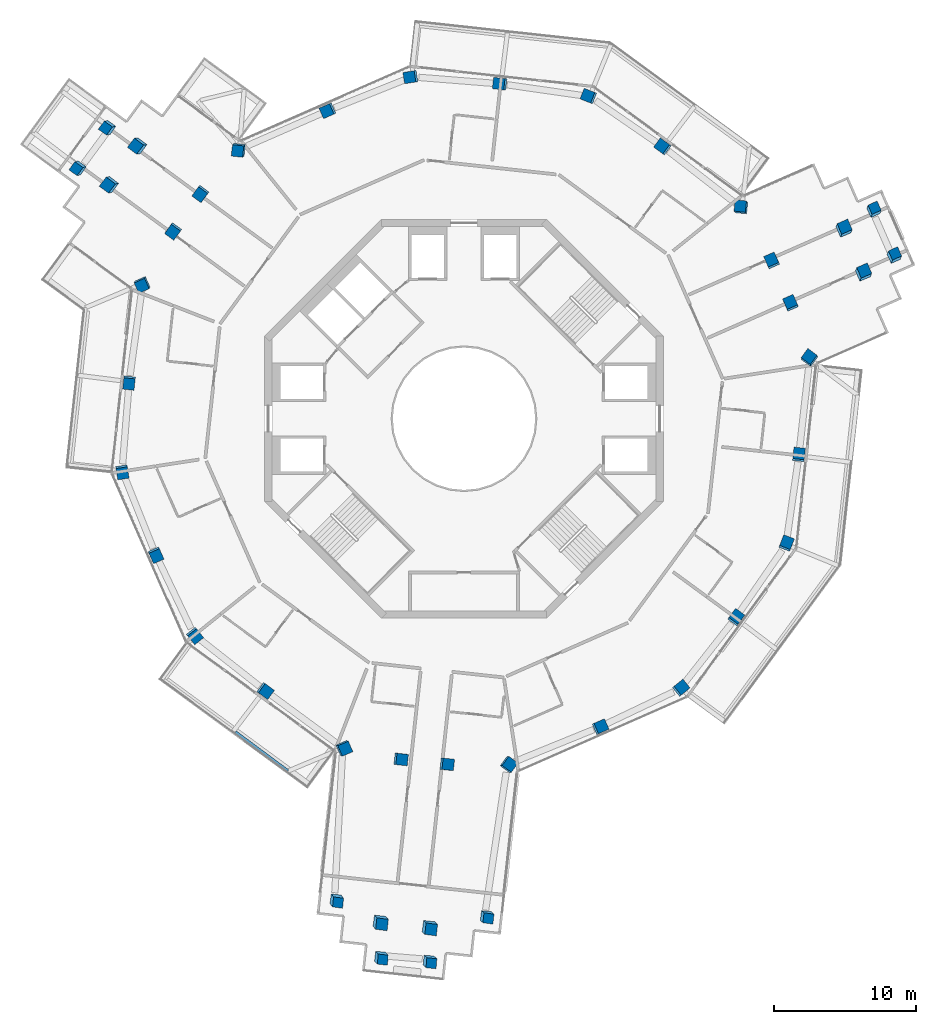
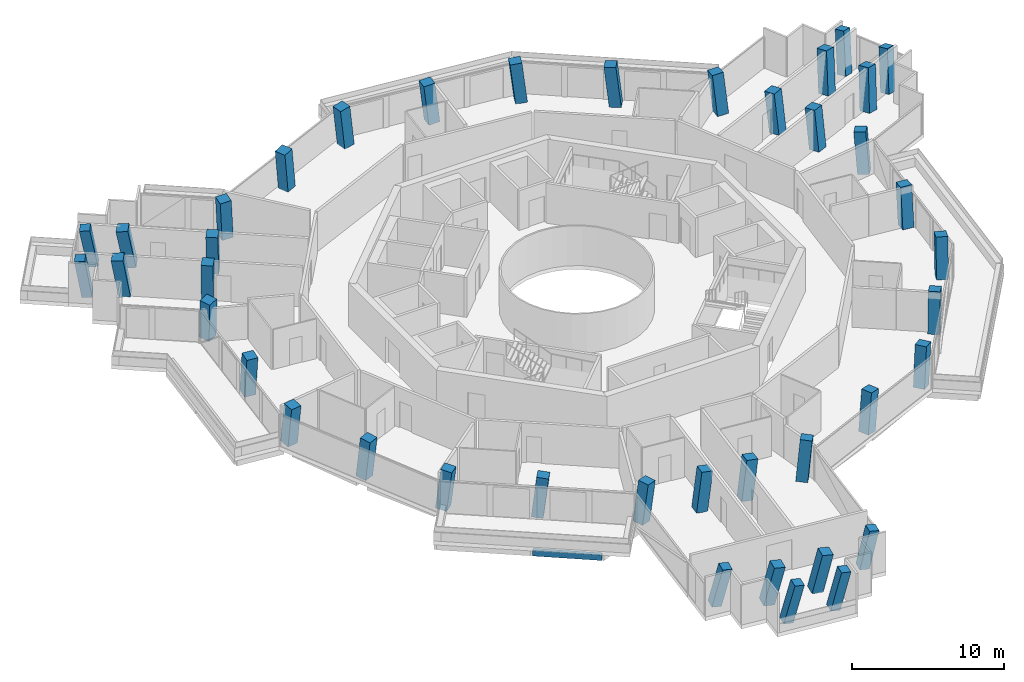
# One storey, part 1 of 22: 41 columns, 1 beam.
"""IFC4 building model written with IfcOpenShell, lengths in metres."""

from ifc_helpers import new_model, si_unit, direction, frame, origin, origin_2d, place, context, subcontext, project, spatial, rectangle, extrude, material, material_profile, profile_set, type_object, element, save


model = new_model("IFC4")

# Units and contexts
model_context = context("Model", 3, precision=1e-05, world=origin(), true_north=direction((0.0, 1.0)))
body_context = subcontext(model_context, "Body", "Model", "MODEL_VIEW")
ifc_project = project(units=[si_unit("LENGTHUNIT", "METRE"), si_unit("AREAUNIT", "SQUARE_METRE"), si_unit("VOLUMEUNIT", "CUBIC_METRE"), si_unit("PLANEANGLEUNIT", "RADIAN"), si_unit("MASSUNIT", "GRAM", prefix="KILO")], contexts=[model_context])

# Site, building, storey
site_placement = place(None, origin())
site = spatial("IfcSite", under=ifc_project, at=site_placement, CompositionType="ELEMENT")
building_placement = place(site_placement, origin())
building = spatial("IfcBuilding", under=site, at=building_placement, Name="Verdalira Terraces Hotel", CompositionType="ELEMENT")
storey_placement = place(building_placement, frame((0.0, 0.0, 252.5)))
storey = spatial("IfcBuildingStorey", under=building, at=storey_placement, Name="L62", CompositionType="ELEMENT", Elevation=252.5)

# Columns
ifc_material_1 = material(Name="Concrete C50", Category="concrete")
ifc_material_profile_1 = material_profile(ifc_material_1, rectangle(XDim=0.699951, YDim=0.699951, at=origin_2d()), Name="RC 700X700")
ifc_profile_set_1 = profile_set([ifc_material_profile_1], Name="Concrete C50")
column_type_1 = type_object("IfcColumnType", Name="Column RC 700X700 C50", PredefinedType="COLUMN", material=ifc_profile_set_1)
column_1_placement = place(storey_placement, frame((-9.022217, -33.754395, 0.0), z_axis=(0.144134272, -0.184241847, 0.972255241), x_axis=(-0.134936562, -0.976996479, -0.16513632)))
element("IfcColumn", 1, at=column_1_placement, inside=storey, type_object=column_type_1, Name="Column C08", PredefinedType="COLUMN", context=body_context, shape_type="SweptSolid", body=[
    extrude(rectangle(XDim=0.699951, YDim=0.699951, at=origin_2d()), origin(), (0.0, 0.0, 1.0), 3.281006),
])
column_2_placement = place(storey_placement, frame((-5.901123, -37.777588, 0.0), z_axis=(0.162769064, -0.169464318, 0.972002097), x_axis=(0.980820639, -0.079268093, -0.178065841)))
element("IfcColumn", 2, at=column_2_placement, inside=storey, type_object=column_type_1, Name="Column C09", PredefinedType="COLUMN", context=body_context, shape_type="SweptSolid", body=[
    extrude(rectangle(XDim=0.699951, YDim=0.699951, at=origin_2d()), origin(), (0.0, 0.0, 1.0), 3.281738),
])
column_3_placement = place(storey_placement, frame((-2.490479, -38.049805, 0.0), z_axis=(0.164275962, -0.153985411, 0.974321252), x_axis=(0.980524485, -0.082287604, -0.178326905)))
element("IfcColumn", 3, at=column_3_placement, inside=storey, type_object=column_type_1, Name="Column C10", PredefinedType="COLUMN", context=body_context, shape_type="SweptSolid", body=[
    extrude(rectangle(XDim=0.699951, YDim=0.699951, at=origin_2d()), origin(), (0.0, 0.0, 1.0), 3.273926),
])
column_4_placement = place(storey_placement, frame((1.532715, -34.928711, 0.0), z_axis=(0.150266497, -0.136026779, 0.979242919), x_axis=(0.127594558, 0.984874051, 0.117229398)))
element("IfcColumn", 4, at=column_4_placement, inside=storey, type_object=column_type_1, Name="Column C11", PredefinedType="COLUMN", context=body_context, shape_type="SweptSolid", body=[
    extrude(rectangle(XDim=0.699951, YDim=0.699951, at=origin_2d()), origin(), (0.0, 0.0, 1.0), 3.257568),
])
column_5_placement = place(storey_placement, frame((30.175293, 11.36084, 0.0), z_axis=(0.077278099, 0.201117373, 0.976514156), x_axis=(-0.419444156, 0.895107746, -0.151157943)))
element("IfcColumn", 5, at=column_5_placement, inside=storey, type_object=column_type_1, Name="Column C19", PredefinedType="COLUMN", context=body_context, shape_type="SweptSolid", body=[
    extrude(rectangle(XDim=0.699951, YDim=0.699951, at=origin_2d()), origin(), (0.0, 0.0, 1.0), 3.266602),
])
column_6_placement = place(storey_placement, frame((28.75708, 14.58252, 0.0), z_axis=(0.062404542, 0.194854998, 0.978844831), x_axis=(-0.417285391, 0.896013916, -0.151762855)))
element("IfcColumn", 6, at=column_6_placement, inside=storey, type_object=column_type_1, Name="Column C20", PredefinedType="COLUMN", context=body_context, shape_type="SweptSolid", body=[
    extrude(rectangle(XDim=0.699951, YDim=0.699951, at=origin_2d()), origin(), (0.0, 0.0, 1.0), 3.258789),
])
column_7_placement = place(storey_placement, frame((-24.926514, 20.452393, 0.0), z_axis=(-0.212777437, -0.033706577, 0.976519139), x_axis=(-0.565176981, -0.811006194, -0.151142098)))
element("IfcColumn", 7, at=column_7_placement, inside=storey, type_object=column_type_1, Name="Column C28", PredefinedType="COLUMN", context=body_context, shape_type="SweptSolid", body=[
    extrude(rectangle(XDim=0.699951, YDim=0.699951, at=origin_2d()), origin(), (0.0, 0.0, 1.0), 3.266602),
])
column_8_placement = place(storey_placement, frame((-27.007324, 17.613281, 0.0), z_axis=(-0.199948758, -0.043450835, 0.978842438), x_axis=(-0.567063942, -0.809570222, -0.151771345)))
element("IfcColumn", 8, at=column_8_placement, inside=storey, type_object=column_type_1, Name="Column C29", PredefinedType="COLUMN", context=body_context, shape_type="SweptSolid", body=[
    extrude(rectangle(XDim=0.699951, YDim=0.699951, at=origin_2d()), origin(), (0.0, 0.0, 1.0), 3.258789),
])
ifc_material_2 = material(Name="Concrete C50", Category="concrete")
ifc_material_profile_2 = material_profile(ifc_material_2, rectangle(XDim=0.800049, YDim=0.800049, at=origin_2d()), Name="RC 800X800")
ifc_profile_set_2 = profile_set([ifc_material_profile_2], Name="Concrete C50")
column_type_2 = type_object("IfcColumnType", Name="Column RC 800X800 C50", PredefinedType="COLUMN", material=ifc_profile_set_2)
column_9_placement = place(storey_placement, frame((-22.58374, 9.461182, 0.0), z_axis=(-0.044087986, -0.107787524, 0.993195902), x_axis=(-0.40787866, 0.909472019, 0.080595569)))
element("IfcColumn", 9, at=column_9_placement, inside=storey, type_object=column_type_2, Name="Column C01", PredefinedType="COLUMN", context=body_context, shape_type="SweptSolid", body=[
    extrude(rectangle(XDim=0.800049, YDim=0.800049, at=origin_2d()), origin(), (0.0, 0.0, 1.0), 3.211914),
])
column_10_placement = place(storey_placement, frame((-23.518311, 2.571533, 0.0), z_axis=(-0.011255095, -0.112018614, 0.993642367), x_axis=(-0.107722097, -0.987786416, -0.112578621)))
element("IfcColumn", 10, at=column_10_placement, inside=storey, type_object=column_type_2, Name="Column C02", PredefinedType="COLUMN", context=body_context, shape_type="SweptSolid", body=[
    extrude(rectangle(XDim=0.800049, YDim=0.800049, at=origin_2d()), origin(), (0.0, 0.0, 1.0), 3.210449),
])
column_11_placement = place(storey_placement, frame((-24.002686, -3.698486, 0.0), z_axis=(0.018549374, -0.114033037, 0.993303774), x_axis=(-0.151151624, 0.981736484, 0.115527761)))
element("IfcColumn", 11, at=column_11_placement, inside=storey, type_object=column_type_2, Name="Column C03", PredefinedType="COLUMN", context=body_context, shape_type="SweptSolid", body=[
    extrude(rectangle(XDim=0.800049, YDim=0.800049, at=origin_2d()), origin(), (0.0, 0.0, 1.0), 3.211426),
])
column_12_placement = place(storey_placement, frame((-21.653076, -9.531982, 0.0), z_axis=(0.046237076, -0.10266456, 0.993640841), x_axis=(0.400331749, -0.909427025, -0.112592085)))
element("IfcColumn", 12, at=column_12_placement, inside=storey, type_object=column_type_2, Name="Column C04", PredefinedType="COLUMN", context=body_context, shape_type="SweptSolid", body=[
    extrude(rectangle(XDim=0.800049, YDim=0.800049, at=origin_2d()), origin(), (0.0, 0.0, 1.0), 3.210449),
])
column_13_placement = place(storey_placement, frame((-18.9375, -15.204346, 0.0), z_axis=(0.07305731, -0.0894781, 0.993305743), x_axis=(-0.621660435, 0.774722887, 0.115510831)))
element("IfcColumn", 13, at=column_13_placement, inside=storey, type_object=column_type_2, Name="Column C05", PredefinedType="COLUMN", context=body_context, shape_type="SweptSolid", body=[
    extrude(rectangle(XDim=0.800049, YDim=0.800049, at=origin_2d()), origin(), (0.0, 0.0, 1.0), 3.211426),
])
column_14_placement = place(storey_placement, frame((-13.986084, -19.081543, 0.0), z_axis=(0.09133384, -0.065781659, 0.99364526), x_axis=(0.80133178, -0.587536537, -0.112553082)))
element("IfcColumn", 14, at=column_14_placement, inside=storey, type_object=column_type_2, Name="Column C06", PredefinedType="COLUMN", context=body_context, shape_type="SweptSolid", body=[
    extrude(rectangle(XDim=0.800049, YDim=0.800049, at=origin_2d()), origin(), (0.0, 0.0, 1.0), 3.210449),
])
column_15_placement = place(storey_placement, frame((-8.464111, -23.128906, 0.0), z_axis=(0.110287503, -0.039372106, 0.993119582), x_axis=(-0.394900113, 0.915222255, 0.080138159)))
element("IfcColumn", 15, at=column_15_placement, inside=storey, type_object=column_type_2, Name="Column C07", PredefinedType="COLUMN", context=body_context, shape_type="SweptSolid", body=[
    extrude(rectangle(XDim=0.800049, YDim=0.800049, at=origin_2d()), origin(), (0.0, 0.0, 1.0), 3.212158),
])
column_16_placement = place(storey_placement, frame((3.098389, -24.288818, 0.0), z_axis=(0.115313882, 0.015734986, 0.99320447), x_axis=(-0.583465368, -0.808134067, 0.08054498)))
element("IfcColumn", 16, at=column_16_placement, inside=storey, type_object=column_type_2, Name="Column C12", PredefinedType="COLUMN", context=body_context, shape_type="SweptSolid", body=[
    extrude(rectangle(XDim=0.800049, YDim=0.800049, at=origin_2d()), origin(), (0.0, 0.0, 1.0), 3.21167),
])
column_17_placement = place(storey_placement, frame((9.531982, -21.653076, 0.0), z_axis=(0.10266456, 0.046237076, 0.993640841), x_axis=(0.909427025, 0.400331749, -0.112592085)))
element("IfcColumn", 17, at=column_17_placement, inside=storey, type_object=column_type_2, Name="Column C13", PredefinedType="COLUMN", context=body_context, shape_type="SweptSolid", body=[
    extrude(rectangle(XDim=0.800049, YDim=0.800049, at=origin_2d()), origin(), (0.0, 0.0, 1.0), 3.210449),
])
column_18_placement = place(storey_placement, frame((15.204346, -18.9375, 0.0), z_axis=(0.0894781, 0.07305731, 0.993305743), x_axis=(-0.774722887, -0.621660435, 0.115510831)))
element("IfcColumn", 18, at=column_18_placement, inside=storey, type_object=column_type_2, Name="Column C14", PredefinedType="COLUMN", context=body_context, shape_type="SweptSolid", body=[
    extrude(rectangle(XDim=0.800049, YDim=0.800049, at=origin_2d()), origin(), (0.0, 0.0, 1.0), 3.211426),
])
column_19_placement = place(storey_placement, frame((19.081543, -13.986084, 0.0), z_axis=(0.065781659, 0.09133384, 0.99364526), x_axis=(0.587536537, 0.80133178, -0.112553082)))
element("IfcColumn", 19, at=column_19_placement, inside=storey, type_object=column_type_2, Name="Column C15", PredefinedType="COLUMN", context=body_context, shape_type="SweptSolid", body=[
    extrude(rectangle(XDim=0.800049, YDim=0.800049, at=origin_2d()), origin(), (0.0, 0.0, 1.0), 3.210449),
])
column_20_placement = place(storey_placement, frame((22.635986, -8.798096, 0.0), z_axis=(0.040976181, 0.107952091, 0.99331128), x_axis=(-0.360370814, -0.925635524, 0.115463211)))
element("IfcColumn", 20, at=column_20_placement, inside=storey, type_object=column_type_2, Name="Column C16", PredefinedType="COLUMN", context=body_context, shape_type="SweptSolid", body=[
    extrude(rectangle(XDim=0.800049, YDim=0.800049, at=origin_2d()), origin(), (0.0, 0.0, 1.0), 3.211426),
])
column_21_placement = place(storey_placement, frame((23.518311, -2.571533, 0.0), z_axis=(0.011255095, 0.112018614, 0.993642367), x_axis=(0.107722097, 0.987786416, -0.112578621)))
element("IfcColumn", 21, at=column_21_placement, inside=storey, type_object=column_type_2, Name="Column C17", PredefinedType="COLUMN", context=body_context, shape_type="SweptSolid", body=[
    extrude(rectangle(XDim=0.800049, YDim=0.800049, at=origin_2d()), origin(), (0.0, 0.0, 1.0), 3.210449),
])
column_22_placement = place(storey_placement, frame((24.262207, 4.234375, 0.0), z_axis=(-0.021054304, 0.115152599, 0.993124662), x_axis=(-0.595047118, -0.799688395, 0.080108669)))
element("IfcColumn", 22, at=column_22_placement, inside=storey, type_object=column_type_2, Name="Column C18", PredefinedType="COLUMN", context=body_context, shape_type="SweptSolid", body=[
    extrude(rectangle(XDim=0.800049, YDim=0.800049, at=origin_2d()), origin(), (0.0, 0.0, 1.0), 3.211914),
])
column_23_placement = place(storey_placement, frame((19.485352, 14.827637, 0.0), z_axis=(-0.071225443, 0.092053374, 0.99320346), x_axis=(0.991526611, -0.101914305, 0.080550946)))
element("IfcColumn", 23, at=column_23_placement, inside=storey, type_object=column_type_2, Name="Column C21", PredefinedType="COLUMN", context=body_context, shape_type="SweptSolid", body=[
    extrude(rectangle(XDim=0.800049, YDim=0.800049, at=origin_2d()), origin(), (0.0, 0.0, 1.0), 3.21167),
])
column_24_placement = place(storey_placement, frame((13.986084, 19.081543, 0.0), z_axis=(-0.09133384, 0.065781659, 0.99364526), x_axis=(-0.80133178, 0.587536537, -0.112553082)))
element("IfcColumn", 24, at=column_24_placement, inside=storey, type_object=column_type_2, Name="Column C22", PredefinedType="COLUMN", context=body_context, shape_type="SweptSolid", body=[
    extrude(rectangle(XDim=0.800049, YDim=0.800049, at=origin_2d()), origin(), (0.0, 0.0, 1.0), 3.210449),
])
column_25_placement = place(storey_placement, frame((8.798096, 22.635986, 0.0), z_axis=(-0.107952091, 0.040976181, 0.99331128), x_axis=(0.925635524, -0.360370814, 0.115463211)))
element("IfcColumn", 25, at=column_25_placement, inside=storey, type_object=column_type_2, Name="Column C23", PredefinedType="COLUMN", context=body_context, shape_type="SweptSolid", body=[
    extrude(rectangle(XDim=0.800049, YDim=0.800049, at=origin_2d()), origin(), (0.0, 0.0, 1.0), 3.211426),
])
column_26_placement = place(storey_placement, frame((2.571533, 23.518311, 0.0), z_axis=(-0.112018614, 0.011255095, 0.993642367), x_axis=(-0.987786416, 0.107722097, -0.112578621)))
element("IfcColumn", 26, at=column_26_placement, inside=storey, type_object=column_type_2, Name="Column C24", PredefinedType="COLUMN", context=body_context, shape_type="SweptSolid", body=[
    extrude(rectangle(XDim=0.800049, YDim=0.800049, at=origin_2d()), origin(), (0.0, 0.0, 1.0), 3.210449),
])
column_27_placement = place(storey_placement, frame((-3.698486, 24.002686, 0.0), z_axis=(-0.114033037, -0.018549374, 0.993303774), x_axis=(0.981736484, 0.151151624, 0.115527761)))
element("IfcColumn", 27, at=column_27_placement, inside=storey, type_object=column_type_2, Name="Column C25", PredefinedType="COLUMN", context=body_context, shape_type="SweptSolid", body=[
    extrude(rectangle(XDim=0.800049, YDim=0.800049, at=origin_2d()), origin(), (0.0, 0.0, 1.0), 3.211426),
])
column_28_placement = place(storey_placement, frame((-9.531982, 21.653076, 0.0), z_axis=(-0.10266456, -0.046237076, 0.993640841), x_axis=(-0.909427025, -0.400331749, -0.112592085)))
element("IfcColumn", 28, at=column_28_placement, inside=storey, type_object=column_type_2, Name="Column C26", PredefinedType="COLUMN", context=body_context, shape_type="SweptSolid", body=[
    extrude(rectangle(XDim=0.800049, YDim=0.800049, at=origin_2d()), origin(), (0.0, 0.0, 1.0), 3.210449),
])
column_29_placement = place(storey_placement, frame((-15.798096, 18.894531, 0.0), z_axis=(-0.089233164, -0.07585579, 0.99311799), x_axis=(0.990082545, -0.115381755, 0.080147399)))
element("IfcColumn", 29, at=column_29_placement, inside=storey, type_object=column_type_2, Name="Column C27", PredefinedType="COLUMN", context=body_context, shape_type="SweptSolid", body=[
    extrude(rectangle(XDim=0.800049, YDim=0.800049, at=origin_2d()), origin(), (0.0, 0.0, 1.0), 3.212158),
])
for number, where, z_axis, x_axis, name in (
    (30, (-18.468018, 15.838135, 0.0), (-0.074575942, -0.088487662, 0.993281613), (-0.806115878, 0.591706164, -0.007810631), "Column C30"),
    (31, (-20.393066, 13.21167, 0.0), (-0.06203354, -0.097535579, 0.993296859), (-0.807047178, 0.590438366, 0.007575534), "Column C31"),
):
    element("IfcColumn", number, at=place(storey_placement, frame(where, z_axis=z_axis, x_axis=x_axis)), inside=storey, type_object=column_type_2, Name=name, PredefinedType="COLUMN", context=body_context, shape_type="SweptSolid", body=[
        extrude(rectangle(XDim=0.800049, YDim=0.800049, at=origin_2d()), origin(), (0.0, 0.0, 1.0), 3.211426),
    ])
column_30_placement = place(storey_placement, frame((-22.816162, 19.170166, 0.0), z_axis=(-0.20726092, -0.023802446, 0.977996091), x_axis=(-0.784028642, 0.601951447, -0.151504267)))
element("IfcColumn", 32, at=column_30_placement, inside=storey, type_object=column_type_2, Name="Column C32", PredefinedType="COLUMN", context=body_context, shape_type="SweptSolid", body=[
    extrude(rectangle(XDim=0.800049, YDim=0.800049, at=origin_2d()), origin(), (0.0, 0.0, 1.0), 3.261719),
])
column_31_placement = place(storey_placement, frame((-24.810303, 16.449219, 0.0), z_axis=(-0.19491214, -0.033085548, 0.980262518), x_axis=(-0.787099728, 0.601601022, -0.136199223)))
element("IfcColumn", 33, at=column_31_placement, inside=storey, type_object=column_type_2, Name="Column C33", PredefinedType="COLUMN", context=body_context, shape_type="SweptSolid", body=[
    extrude(rectangle(XDim=0.800049, YDim=0.800049, at=origin_2d()), origin(), (0.0, 0.0, 1.0), 3.25415),
])
for number, where, z_axis, x_axis, name in (
    (34, (-4.482178, -23.912842, 0.0), (0.113878922, -0.020373532, 0.993285714), (-0.1097138, -0.99393255, -0.007808254), "Column C34"),
    (35, (-1.245117, -24.266846, 0.0), (0.115476771, -0.004941402, 0.99329789), (-0.107698749, -0.994154716, 0.007574954), "Column C35"),
):
    element("IfcColumn", number, at=place(storey_placement, frame(where, z_axis=z_axis, x_axis=x_axis)), inside=storey, type_object=column_type_2, Name=name, PredefinedType="COLUMN", context=body_context, shape_type="SweptSolid", body=[
        extrude(rectangle(XDim=0.800049, YDim=0.800049, at=origin_2d()), origin(), (0.0, 0.0, 1.0), 3.211426),
    ])
column_32_placement = place(storey_placement, frame((-5.945801, -35.298096, 0.0), z_axis=(0.151432403, -0.170063358, 0.973728238), x_axis=(-0.133385806, -0.979594264, -0.150343958)))
element("IfcColumn", 36, at=column_32_placement, inside=storey, type_object=column_type_2, Name="Column C36", PredefinedType="COLUMN", context=body_context, shape_type="SweptSolid", body=[
    extrude(rectangle(XDim=0.800049, YDim=0.800049, at=origin_2d()), origin(), (0.0, 0.0, 1.0), 3.276123),
])
column_33_placement = place(storey_placement, frame((-2.492432, -35.675537, 0.0), z_axis=(0.153432438, -0.154403529, 0.976021535), x_axis=(-0.131152088, -0.98216067, -0.134757364)))
element("IfcColumn", 37, at=column_33_placement, inside=storey, type_object=column_type_2, Name="Column C37", PredefinedType="COLUMN", context=body_context, shape_type="SweptSolid", body=[
    extrude(rectangle(XDim=0.800049, YDim=0.800049, at=origin_2d()), origin(), (0.0, 0.0, 1.0), 3.268311),
])
for number, where, z_axis, x_axis, name in (
    (38, (22.950195, 8.074707, 0.0), (-0.039302435, 0.108860904, 0.99327973), (0.915666559, 0.401862824, -0.007811721), "Column C38"),
    (39, (21.638184, 11.055176, 0.0), (-0.053443209, 0.102477163, 0.993298673), (0.914862606, 0.40369424, 0.007574512), "Column C39"),
):
    element("IfcColumn", number, at=place(storey_placement, frame(where, z_axis=z_axis, x_axis=x_axis)), inside=storey, type_object=column_type_2, Name=name, PredefinedType="COLUMN", context=body_context, shape_type="SweptSolid", body=[
        extrude(rectangle(XDim=0.800049, YDim=0.800049, at=origin_2d()), origin(), (0.0, 0.0, 1.0), 3.211426),
    ])
column_34_placement = place(storey_placement, frame((28.01001, 10.174316, 0.0), z_axis=(0.082934906, 0.191394001, 0.978003138), x_axis=(0.913185478, 0.378346413, -0.151480276)))
element("IfcColumn", 40, at=column_34_placement, inside=storey, type_object=column_type_2, Name="Column C40", PredefinedType="COLUMN", context=body_context, shape_type="SweptSolid", body=[
    extrude(rectangle(XDim=0.800049, YDim=0.800049, at=origin_2d()), origin(), (0.0, 0.0, 1.0), 3.261719),
])
column_35_placement = place(storey_placement, frame((26.650635, 13.261719, 0.0), z_axis=(0.068796421, 0.185382722, 0.980255221), x_axis=(0.914510199, 0.380938418, -0.136224145)))
element("IfcColumn", 41, at=column_35_placement, inside=storey, type_object=column_type_2, Name="Column C41", PredefinedType="COLUMN", context=body_context, shape_type="SweptSolid", body=[
    extrude(rectangle(XDim=0.800049, YDim=0.800049, at=origin_2d()), origin(), (0.0, 0.0, 1.0), 3.25415),
])

# Beam
ifc_material_3 = material(Name="Concrete C40", Category="concrete")
ifc_material_profile_3 = material_profile(ifc_material_3, rectangle(XDim=0.25, YDim=0.449951, at=origin_2d()), Name="RC 250X450")
ifc_profile_set_3 = profile_set([ifc_material_profile_3], Name="Concrete C40")
beam_type = type_object("IfcBeamType", Name="Balcony edge beam RC 250X450 C40", PredefinedType="BEAM", material=ifc_profile_set_3)
beam_placement = place(storey_placement, frame((-16.064453, -22.022705, -0.534912), z_axis=(0.802968126, -0.59602197, 0.0), x_axis=(0.59602197, 0.802968126, 0.0)))
element("IfcBeam", 42, at=beam_placement, inside=storey, type_object=beam_type, Name="Balcony edge beam R13-2", PredefinedType="BEAM", context=body_context, shape_type="SweptSolid", body=[
    extrude(rectangle(XDim=0.25, YDim=0.449951, at=origin_2d()), origin(), (0.0, 0.0, 1.0), 4.584473),
])

save(model, "model.ifc")
